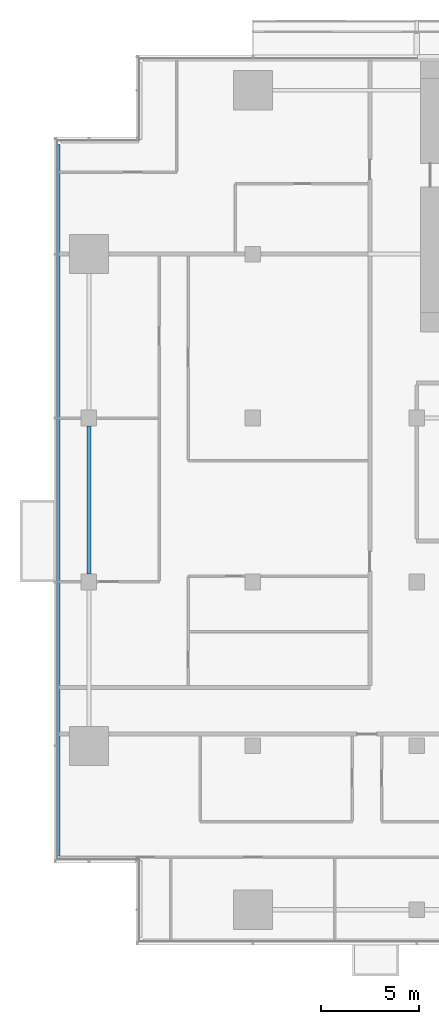
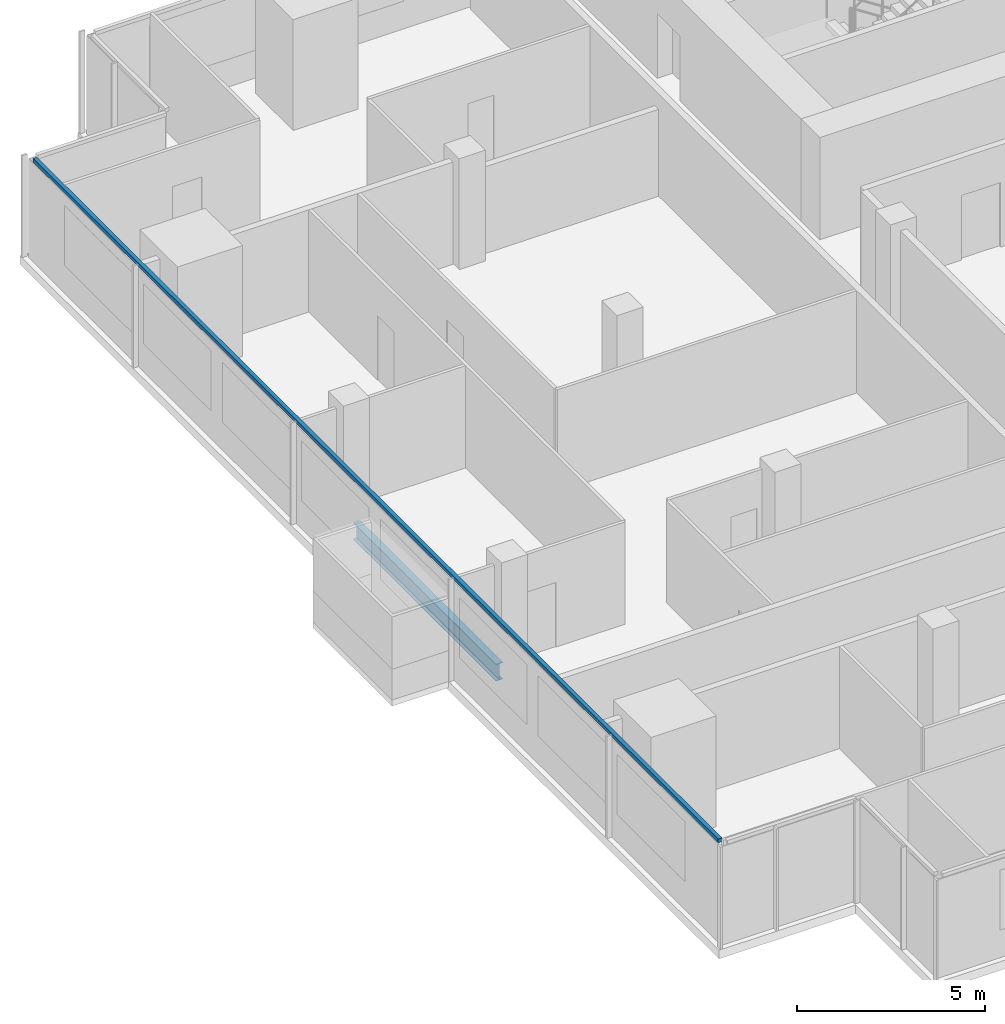
# One storey, part 3 of 27: 1 beam, 1 member, 1 element without a shape of its own.
"""IFC4 building model written with IfcOpenShell, lengths in metres."""

from ifc_helpers import new_model, si_unit, direction, frame, origin, origin_2d, place, context, subcontext, project, spatial, rectangle, i_section, extrude, material, material_profile, profile_set, type_object, element, aggregate, save


model = new_model("IFC4")

# Units and contexts
model_context = context("Model", 3, precision=1e-05, world=origin(), true_north=direction((0.0, 1.0)))
body_context = subcontext(model_context, "Body", "Model", "MODEL_VIEW")
ifc_project = project(units=[si_unit("LENGTHUNIT", "METRE"), si_unit("AREAUNIT", "SQUARE_METRE"), si_unit("VOLUMEUNIT", "CUBIC_METRE"), si_unit("PLANEANGLEUNIT", "RADIAN"), si_unit("MASSUNIT", "GRAM", prefix="KILO")], contexts=[model_context])

# Site, building, storey
site_placement = place(None, origin())
site = spatial("IfcSite", under=ifc_project, at=site_placement, CompositionType="ELEMENT")
building_placement = place(site_placement, origin())
building = spatial("IfcBuilding", under=site, at=building_placement, Name="Saffron Gate Tower", CompositionType="ELEMENT")
storey_placement = place(building_placement, frame((0.0, 0.0, 124.050048828125)))
storey = spatial("IfcBuildingStorey", under=building, at=storey_placement, Name="L29", CompositionType="ELEMENT", Elevation=124.050048828125)

# Beam
ifc_material_1 = material(Name="Structural steel S355", Category="steel")
ifc_material_profile_1 = material_profile(ifc_material_1, i_section(OverallWidth=0.2099609375, OverallDepth=0.550048828125, WebThickness=0.010986328125, FlangeThickness=0.01708984375, FilletRadius=0.02392578125, at=origin_2d()))
ifc_profile_set_1 = profile_set([ifc_material_profile_1], Name="Structural steel S355")
beam_type = type_object("IfcBeamType", Name="B13 IPE 550", PredefinedType="SPANDREL", material=ifc_profile_set_1)
beam_placement = place(storey_placement, frame((49.800048828125, 49.0, -0.554931640625), z_axis=(0.0, 1.0, 0.0), x_axis=(-1.0, 0.0, 0.0)))
element("IfcBeam", 1, at=beam_placement, inside=storey, type_object=beam_type, Name="B13 SPANDREL BEAM", PredefinedType="SPANDREL", context=body_context, shape_type="SweptSolid", body=[
    extrude(i_section(OverallWidth=0.2099609375, OverallDepth=0.550048828125, WebThickness=0.010986328125, FlangeThickness=0.01708984375, FilletRadius=0.02392578125, at=origin_2d()), origin(), (0.0, 0.0, 1.0), 7.60009765625),
])

# Curtain wall, member
ifc_material_2 = material(Name="Aluminium, bronze anodised", Category="aluminium")
curtain_wall_type = type_object("IfcCurtainWallType", Name="CWS2 curtain wall side facades", PredefinedType="NOTDEFINED", material=ifc_material_2)
curtain_wall_placement = place(storey_placement, origin())
curtain_wall = element("IfcCurtainWall", 2, at=curtain_wall_placement, inside=storey, type_object=curtain_wall_type, Name="CWS2 run 10", PredefinedType="NOTDEFINED")
ifc_material_profile_2 = material_profile(ifc_material_2, rectangle(XDim=0.1201171875, YDim=0.1201171875, at=origin_2d()))
ifc_profile_set_2 = profile_set([ifc_material_profile_2], Name="Aluminium, bronze anodised")
member_type = type_object("IfcMemberType", Name="CWS2 head transom", PredefinedType="USERDEFINED", material=ifc_profile_set_2)
member_placement = place(storey_placement, frame((48.248046875, 71.031982421875, 3.260009765625), z_axis=(0.0, -1.0, 0.0), x_axis=(1.0, 0.0, 0.0)))
member = element("IfcMember", 3, at=member_placement, type_object=member_type, Name="CWS2 head transom", ObjectType="TRANSOM", PredefinedType="USERDEFINED", context=body_context, shape_type="SweptSolid", body=[
    extrude(rectangle(XDim=0.1201171875, YDim=0.1201171875, at=origin_2d()), origin(), (0.0, 0.0, 1.0), 36.4638671875),
])
aggregate(curtain_wall, [member])

save(model, "model.ifc")
